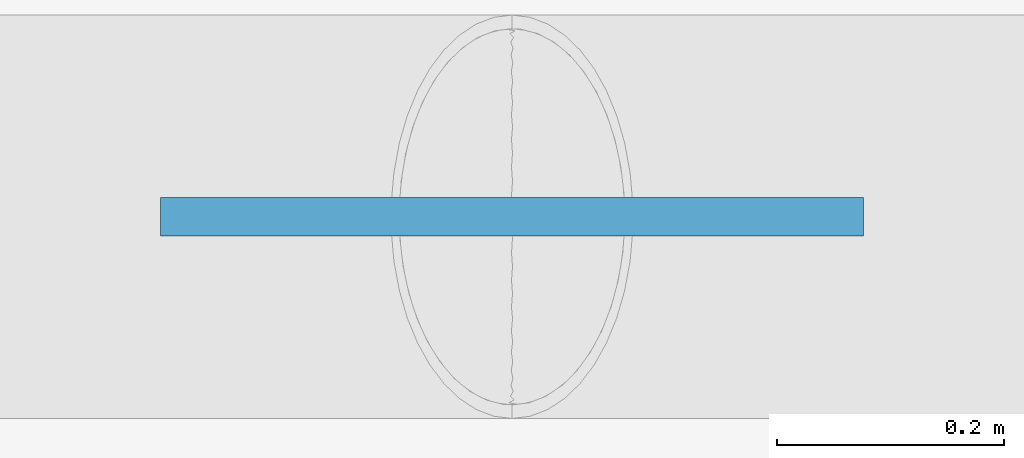
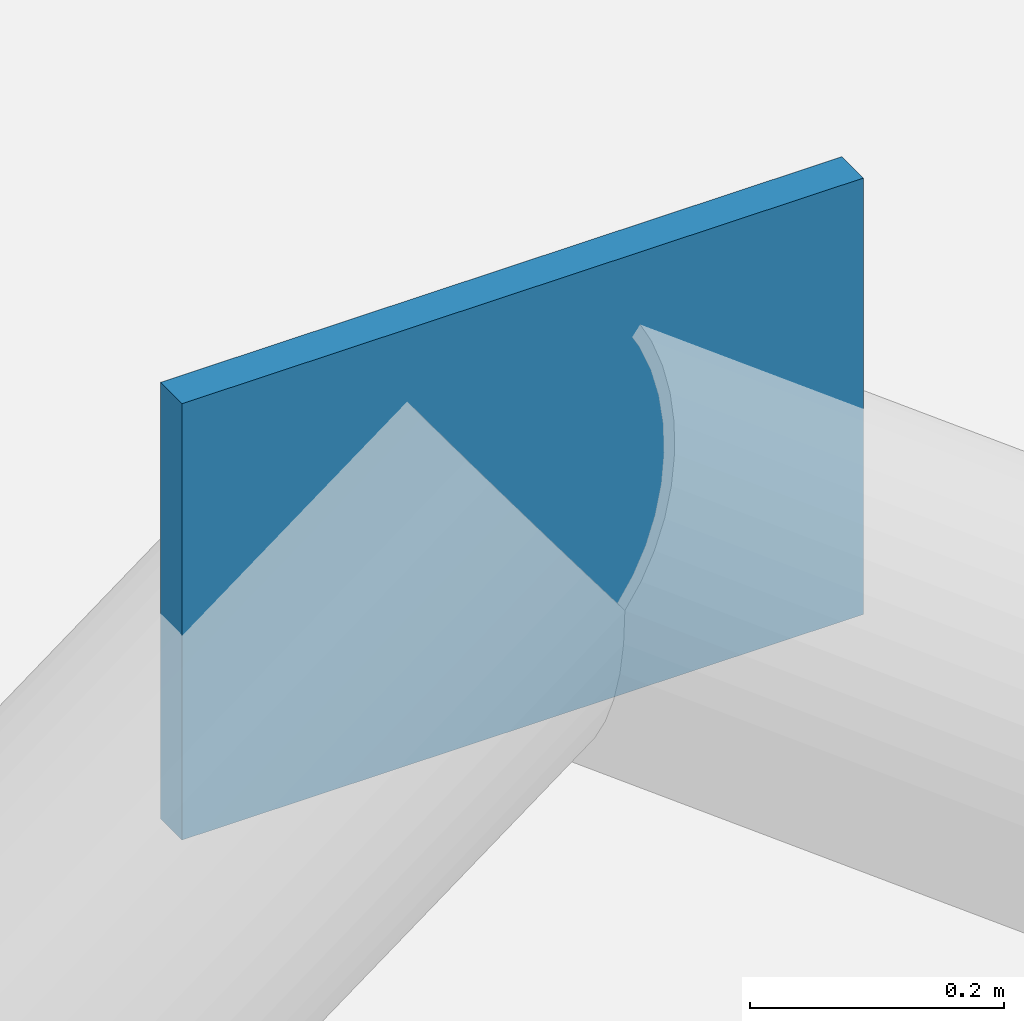
# One storey, part 67 of 123: 1 plate.
"""IFC4 building model written with IfcOpenShell, lengths in metres."""

from ifc_helpers import new_model, si_unit, derived_unit, direction, frame, origin, origin_2d, place, context, subcontext, project, spatial, rectangle, extrude, material, layer, layer_set, type_object, element, save


model = new_model("IFC4")

# Units and contexts
model_context = context("Model", 3, precision=1e-05, world=origin(), true_north=direction((0.0, 1.0)))
body_context = subcontext(model_context, "Body", "Model", "MODEL_VIEW")
ifc_project = project(units=[si_unit("LENGTHUNIT", "METRE"), si_unit("AREAUNIT", "SQUARE_METRE"), si_unit("VOLUMEUNIT", "CUBIC_METRE"), si_unit("PLANEANGLEUNIT", "RADIAN"), si_unit("MASSUNIT", "GRAM", prefix="KILO"), si_unit("THERMODYNAMICTEMPERATUREUNIT", "KELVIN"), derived_unit("THERMALTRANSMITTANCEUNIT", [(si_unit("POWERUNIT", "WATT"), 1), (si_unit("AREAUNIT", "SQUARE_METRE"), -1), (si_unit("THERMODYNAMICTEMPERATUREUNIT", "KELVIN"), -1)])], contexts=[model_context])

# Site, building, storey
site_placement = place(None, origin())
site = spatial("IfcSite", under=ifc_project, at=site_placement, CompositionType="ELEMENT")
building_placement = place(site_placement, origin())
building = spatial("IfcBuilding", under=site, at=building_placement, Name="Haiyu Intermodal Mobility Hub", CompositionType="ELEMENT")
storey_placement = place(building_placement, frame((0.0, 0.0, 5.60009765625)))
storey = spatial("IfcBuildingStorey", under=building, at=storey_placement, Name="L01", CompositionType="ELEMENT", Elevation=5.60009765625)

# Plate
ifc_material = material(Name="Steel Q355C", Category="steel")
ifc_layer = layer(ifc_material, 0.033935546875)
ifc_layer_set = layer_set([ifc_layer], Name="Steel Q355C")
plate_type = type_object("IfcPlateType", Name="PLT-GP04", PredefinedType="USERDEFINED", material=ifc_layer_set)
plate_placement = place(storey_placement, frame((42.0, 104.0, 2.7900390625), z_axis=(0.0, 0.0, 1.0), x_axis=(1.0, 0.0, 0.0)))
element("IfcPlate", 1, at=plate_placement, inside=storey, type_object=plate_type, Name="Chevron Brace Apex Gusset GP-B096", ObjectType="GUSSET PLATE", PredefinedType="USERDEFINED", context=body_context, shape_type="SweptSolid", body=[
    extrude(rectangle(XDim=0.6201171875, YDim=0.033935546875, at=origin_2d()), origin(), (0.0, 0.0, 1.0), 0.419921875),
])

save(model, "model.ifc")
